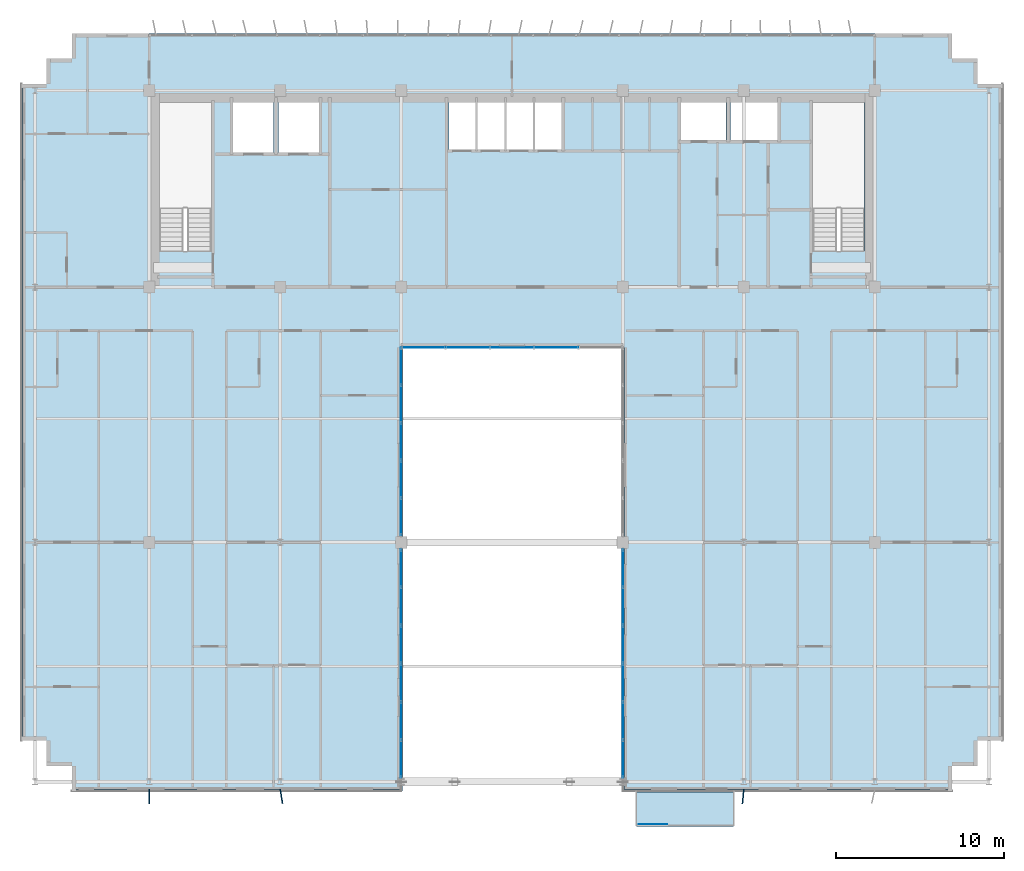
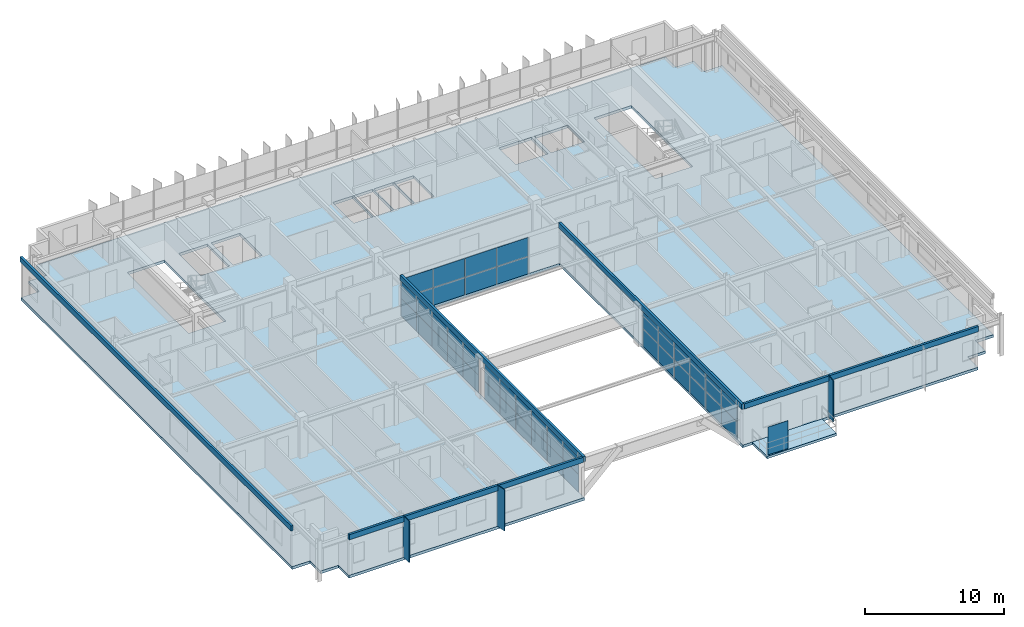
# One storey, part 28 of 37: 51 plates, 2 slabs, 4 elements without a shape of their own.
"""IFC4 building model written with IfcOpenShell, lengths in metres."""

import ifcopenshell
import ifcopenshell.guid

model = None  # the IFC model being written
_history = None  # IfcOwnerHistory: only IFC2X3 demands one
_inside = {}  # id of a spatial element -> (the spatial element, [elements in it])
_under = {}  # id of a project, library or spatial element -> (it, [spatial elements below it])
_declared = {}  # id of a project -> (the project, [libraries it declares])
_typed = {}  # id of a type object -> (the type object, [elements of that type])
_made_of = {}  # id of a material, layer set ... -> (it, [elements and type objects made of it])


def new_model(schema):
    """Start an empty IFC model of exactly this schema.

    Asked for "IFC4X3", IfcOpenShell would pick the latest addendum, in which some entities
    have other attributes; the version numbers below select the first issue.
    IFC2X3 requires an IfcOwnerHistory on every rooted entity: one is made here for all.
    """
    global model, _history
    if schema == "IFC4X3":
        model = ifcopenshell.file(schema_version=(4, 3, 0, 0))
    else:
        model = ifcopenshell.file(schema=schema)
    _inside.clear()
    _under.clear()
    _declared.clear()
    _typed.clear()
    _made_of.clear()
    _history = None
    if model.schema == "IFC2X3":
        org = make("IfcOrganization", Name="unknown")
        user = make(
            "IfcPersonAndOrganization",
            ThePerson=make("IfcPerson", FamilyName="unknown"),
            TheOrganization=org,
        )
        app = make(
            "IfcApplication",
            ApplicationDeveloper=org,
            Version="unknown",
            ApplicationFullName="unknown",
            ApplicationIdentifier="unknown",
        )
        _history = make(
            "IfcOwnerHistory",
            OwningUser=user,
            OwningApplication=app,
            ChangeAction="ADDED",
            CreationDate=0,
        )
    return model


def make(cls, **values):
    """One entity of the class cls with the attributes given. An attribute that is None is left unset."""
    return model.create_entity(
        cls, **{name: value for name, value in values.items() if value is not None}
    )


def rooted(cls, **values):
    """An entity with a GlobalId (a new one), such as an element, a storey or a relation."""
    return make(cls, GlobalId=ifcopenshell.guid.new(), OwnerHistory=_history, **values)


def si_unit(unit_type, name, prefix=None):
    """IfcSIUnit, for example si_unit("LENGTHUNIT", "METRE", prefix="MILLI")."""
    return make("IfcSIUnit", UnitType=unit_type, Prefix=prefix, Name=name)


def assignment(units):
    """IfcUnitAssignment: the units of a project."""
    return None if units is None else make("IfcUnitAssignment", Units=units)


def point(xyz):
    """IfcCartesianPoint."""
    return None if xyz is None else make("IfcCartesianPoint", Coordinates=xyz)


def direction(xyz):
    """IfcDirection."""
    return None if xyz is None else make("IfcDirection", DirectionRatios=xyz)


def frame(location, z_axis=None, x_axis=None):
    """IfcAxis2Placement3D, a coordinate frame: its origin and axes. An axis left out is left unset."""
    return make(
        "IfcAxis2Placement3D",
        Location=point(location),
        Axis=direction(z_axis),
        RefDirection=direction(x_axis),
    )


def frame_2d(location, x_axis=None):
    """IfcAxis2Placement2D, a coordinate frame in the plane: its origin and x axis."""
    return make(
        "IfcAxis2Placement2D", Location=point(location), RefDirection=direction(x_axis)
    )


def origin():
    """The frame at (0, 0, 0) with its axes left unset."""
    return frame((0.0, 0.0, 0.0))


def origin_2d():
    """The frame at (0, 0) in the plane with its x axis left unset."""
    return frame_2d((0.0, 0.0))


def place(relative_to, where):
    """IfcLocalPlacement: puts the frame where relative to a parent placement (None: the world)."""
    return make(
        "IfcLocalPlacement", PlacementRelTo=relative_to, RelativePlacement=where
    )


def context(
    kind, dimensions, precision=None, world=None, true_north=None, identifier=None
):
    """IfcGeometricRepresentationContext, for example the 3D "Model" context."""
    return make(
        "IfcGeometricRepresentationContext",
        ContextIdentifier=identifier,
        ContextType=kind,
        CoordinateSpaceDimension=dimensions,
        Precision=precision,
        WorldCoordinateSystem=world,
        TrueNorth=true_north,
    )


def subcontext(parent, identifier, kind, view, scale=None):
    """IfcGeometricRepresentationSubContext, for example "Body" below "Model"."""
    return make(
        "IfcGeometricRepresentationSubContext",
        ContextIdentifier=identifier,
        ContextType=kind,
        ParentContext=parent,
        TargetScale=scale,
        TargetView=view,
    )


def project(units=None, contexts=None):
    """IfcProject with its units and contexts."""
    return rooted(
        "IfcProject",
        Name="project",
        RepresentationContexts=contexts,
        UnitsInContext=assignment(units),
    )


def spatial(cls, under=None, at=None, **own):
    """A site, building, storey or space (cls), placed at a placement, below another one or the project."""
    s = rooted(cls, ObjectPlacement=at, **own)
    if under is not None:
        _under.setdefault(under.id(), (under, []))[1].append(s)
    return s


def polyline(points):
    """IfcPolyline through the points."""
    return make("IfcPolyline", Points=[point(p) for p in points])


def profile(cls, at=None, kind="AREA", **sizes):
    """A parametric profile (cls). Its sizes go by their IFC names, for example OverallWidth=200.0."""
    return make(cls, ProfileType=kind, Position=at, **sizes)


def rectangle(**sizes):
    """IfcRectangleProfileDef."""
    return profile("IfcRectangleProfileDef", **sizes)


def outline(outer, holes=None, kind="AREA"):
    """IfcArbitraryClosedProfileDef: a profile drawn as a closed curve; with holes, ...WithVoids."""
    if holes is None:
        return make("IfcArbitraryClosedProfileDef", ProfileType=kind, OuterCurve=outer)
    return make(
        "IfcArbitraryProfileDefWithVoids",
        ProfileType=kind,
        OuterCurve=outer,
        InnerCurves=holes,
    )


def extrude(swept, where, along, depth):
    """IfcExtrudedAreaSolid: the profile swept, set in the frame where, extruded along a direction by depth."""
    return make(
        "IfcExtrudedAreaSolid",
        SweptArea=swept,
        Position=where,
        ExtrudedDirection=direction(along),
        Depth=depth,
    )


def shape(context_of_items, identifier, shape_type, items):
    """IfcShapeRepresentation: the items that make up one representation, for example the "Body"."""
    return make(
        "IfcShapeRepresentation",
        ContextOfItems=context_of_items,
        RepresentationIdentifier=identifier,
        RepresentationType=shape_type,
        Items=items,
    )


def source(mapping_origin, context_of_items, identifier, shape_type, items):
    """IfcRepresentationMap: a shape defined once, which mapped items show again and again."""
    return make(
        "IfcRepresentationMap",
        MappingOrigin=mapping_origin,
        MappedRepresentation=shape(context_of_items, identifier, shape_type, items),
    )


def transform(
    local_origin,
    x_axis=None,
    y_axis=None,
    z_axis=None,
    scale=None,
    scale2=None,
    scale3=None,
    uniform=True,
):
    """IfcCartesianTransformationOperator3D, or its non-uniform kind. x_axis, y_axis, z_axis: its Axis1, 2, 3."""
    if uniform:
        return make(
            "IfcCartesianTransformationOperator3D",
            Axis1=direction(x_axis),
            Axis2=direction(y_axis),
            LocalOrigin=point(local_origin),
            Scale=scale,
            Axis3=direction(z_axis),
        )
    return make(
        "IfcCartesianTransformationOperator3DnonUniform",
        Axis1=direction(x_axis),
        Axis2=direction(y_axis),
        LocalOrigin=point(local_origin),
        Scale=scale,
        Axis3=direction(z_axis),
        Scale2=scale2,
        Scale3=scale3,
    )


def mapped(mapping_source, mapping_target):
    """IfcMappedItem: shows the shape of a source again, moved by a transform."""
    return make(
        "IfcMappedItem", MappingSource=mapping_source, MappingTarget=mapping_target
    )


def material(Name=None, Category=None):
    """IfcMaterial."""
    return make("IfcMaterial", Name=Name, Category=Category)


def layer(
    of_material, thickness, ventilated=None, Name=None, Category=None, Priority=None
):
    """IfcMaterialLayer: one layer of a wall or slab, of a material (None: an air gap)."""
    return make(
        "IfcMaterialLayer",
        Material=of_material,
        LayerThickness=thickness,
        IsVentilated=ventilated,
        Name=Name,
        Category=Category,
        Priority=Priority,
    )


def layer_set(layers, Name=None):
    """IfcMaterialLayerSet."""
    return make("IfcMaterialLayerSet", MaterialLayers=layers, LayerSetName=Name)


def made_of(thing, what):
    """Note that an element or type object is made of a material, layer set ...; save() writes the relation."""
    if what is not None:
        _made_of.setdefault(what.id(), (what, []))[1].append(thing)
    return thing


def type_object(cls, material=None, **own):
    """A type object (cls), such as IfcWallType, which elements share."""
    return made_of(rooted(cls, **own), material)


def element(
    cls,
    number,
    at=None,
    inside=None,
    cuts=None,
    type_object=None,
    material=None,
    context=None,
    identifier="Body",
    shape_type=None,
    held_by="IfcProductDefinitionShape",
    body=None,
    shapes=None,
    **own,
):
    """One element of the class cls, such as IfcWall. Its Tag is "e" and its number.

    at: its placement. inside: the storey or other place that contains it. cuts: it is an
    opening in that element (IfcRelVoidsElement). A single representation is given by context,
    identifier, shape_type and body (its items); several are given by shapes. held_by: the class
    of the entity that holds the representations. save() writes the other relations.
    """
    e = rooted(cls, Tag="e%d" % number, ObjectPlacement=at, **own)
    if body is not None:
        shapes = [shape(context, identifier, shape_type, body)]
    if shapes is not None:
        e.Representation = make(held_by, Representations=shapes)
    if inside is not None:
        _inside.setdefault(inside.id(), (inside, []))[1].append(e)
    if cuts is not None:
        rooted(
            "IfcRelVoidsElement", RelatingBuildingElement=cuts, RelatedOpeningElement=e
        )
    if type_object is not None:
        _typed.setdefault(type_object.id(), (type_object, []))[1].append(e)
    return made_of(e, material)


def aggregate(whole, parts):
    """IfcRelAggregates: a whole, such as a stair, and the parts it consists of."""
    return rooted("IfcRelAggregates", RelatingObject=whole, RelatedObjects=parts)


def save(model, path):
    """Write the relations noted so far, then the file.

    IfcRelAggregates (storeys below a building ...), IfcRelContainedInSpatialStructure (elements
    in a storey), IfcRelDefinesByType, IfcRelAssociatesMaterial and IfcRelDeclares: one each for
    every whole, place, type object, material and project.
    """
    for whole, parts in _under.values():
        aggregate(whole, parts)
    for where, things in _inside.values():
        rooted(
            "IfcRelContainedInSpatialStructure",
            RelatedElements=things,
            RelatingStructure=where,
        )
    for kind, things in _typed.values():
        rooted("IfcRelDefinesByType", RelatedObjects=things, RelatingType=kind)
    for what, things in _made_of.values():
        rooted("IfcRelAssociatesMaterial", RelatedObjects=things, RelatingMaterial=what)
    for by, libraries in _declared.values():
        rooted("IfcRelDeclares", RelatingContext=by, RelatedDefinitions=libraries)
    model.write(path)


model = new_model("IFC4")

# Units and contexts
model_context = context("Model", 3, precision=1e-05, world=origin(), true_north=direction((0.0, 1.0)))
body_context = subcontext(model_context, "Body", "Model", "MODEL_VIEW")
ifc_project = project(units=[si_unit("LENGTHUNIT", "METRE"), si_unit("AREAUNIT", "SQUARE_METRE"), si_unit("VOLUMEUNIT", "CUBIC_METRE"), si_unit("PLANEANGLEUNIT", "RADIAN"), si_unit("MASSUNIT", "GRAM", prefix="KILO")], contexts=[model_context])

# Site, building, storey
site_placement = place(None, origin())
site = spatial("IfcSite", under=ifc_project, at=site_placement, CompositionType="ELEMENT")
building_placement = place(site_placement, origin())
building = spatial("IfcBuilding", under=site, at=building_placement, Name="Trelvane Seafront Commons", CompositionType="ELEMENT")
storey_placement = place(building_placement, frame((0.0, 0.0, 201.300048828125)))
storey = spatial("IfcBuildingStorey", under=building, at=storey_placement, Name="L52", CompositionType="ELEMENT", Elevation=201.300048828125)

# Slabs
ifc_material_1 = material(Name="Concrete C40/50", Category="concrete")
ifc_layer_1 = layer(ifc_material_1, 0.219970703125, Name="ARCH-BALC-220")
ifc_layer_set_1 = layer_set([ifc_layer_1], Name="Concrete C40/50")
slab_type_1 = type_object("IfcSlabType", Name="ARCH-BALC-220", PredefinedType="FLOOR", material=ifc_layer_set_1)
slab_1_placement = place(storey_placement, frame((0.0, 0.0, -0.219970703125)))
element("IfcSlab", 1, at=slab_1_placement, inside=storey, type_object=slab_type_1, Name="L52 Cantilevered Tree Balcony Loggia 2", PredefinedType="FLOOR", context=body_context, shape_type="SweptSolid", body=[
    extrude(outline(polyline([(44.60009765625, 1.300048828125), (50.39990234375, 1.300048828125), (50.39990234375, 3.39990234375), (44.60009765625, 3.39990234375), (44.60009765625, 1.300048828125)])), origin(), (0.0, 0.0, 1.0), 0.219970703125),
])
ifc_material_2 = material(Name="Concrete C50/60", Category="concrete")
ifc_layer_2 = layer(ifc_material_2, 0.239990234375, Name="STR-SLB-Z4-240")
ifc_layer_set_2 = layer_set([ifc_layer_2], Name="Concrete C50/60")
slab_type_2 = type_object("IfcSlabType", Name="STR-SLB-Z4-240", PredefinedType="FLOOR", material=ifc_layer_set_2)
slab_2_placement = place(storey_placement, frame((0.0, 0.0, -0.239990234375)))
element("IfcSlab", 2, at=slab_2_placement, inside=storey, type_object=slab_type_2, Name="L52 Structural Floor Slab", PredefinedType="FLOOR", context=body_context, shape_type="SweptSolid", body=[
    extrude(outline(polyline([(11.0, 3.39990234375), (30.60009765625, 3.39990234375), (30.60009765625, 29.800048828125), (43.800048828125, 29.800048828125), (43.800048828125, 3.39990234375), (63.39990234375, 3.39990234375), (63.39990234375, 4.89990234375), (64.89990234375, 4.89990234375), (64.89990234375, 6.39990234375), (66.39990234375, 6.39990234375), (66.39990234375, 45.5), (64.89990234375, 45.5), (64.89990234375, 47.0), (63.39990234375, 47.0), (63.39990234375, 48.5), (11.0, 48.5), (11.0, 47.0), (9.5, 47.0), (9.5, 45.5), (8.0, 45.5), (8.0, 6.39990234375), (9.5, 6.39990234375), (9.5, 4.89990234375), (11.0, 4.89990234375), (11.0, 3.39990234375)]), holes=[polyline([(19.300048828125, 35.550048828125), (16.199951171875, 35.550048828125), (16.199951171875, 44.39990234375), (19.300048828125, 44.39990234375), (19.300048828125, 35.550048828125)]), polyline([(58.199951171875, 35.550048828125), (55.10009765625, 35.550048828125), (55.10009765625, 44.39990234375), (58.199951171875, 44.39990234375), (58.199951171875, 35.550048828125)]), polyline([(23.0, 41.39990234375), (20.60009765625, 41.39990234375), (20.60009765625, 44.60009765625), (23.0, 44.60009765625), (23.0, 41.39990234375)]), polyline([(23.300048828125, 41.39990234375), (23.300048828125, 44.60009765625), (25.699951171875, 44.60009765625), (25.699951171875, 41.39990234375), (23.300048828125, 41.39990234375)]), polyline([(33.449951171875, 41.60009765625), (33.449951171875, 44.60009765625), (35.070068359375, 44.60009765625), (35.070068359375, 41.60009765625), (33.449951171875, 41.60009765625)]), polyline([(36.77001953125, 41.60009765625), (35.14990234375, 41.60009765625), (35.14990234375, 44.60009765625), (36.77001953125, 44.60009765625), (36.77001953125, 41.60009765625)]), polyline([(38.469970703125, 41.60009765625), (36.85009765625, 41.60009765625), (36.85009765625, 44.60009765625), (38.469970703125, 44.60009765625), (38.469970703125, 41.60009765625)]), polyline([(40.169921875, 41.60009765625), (38.550048828125, 41.60009765625), (38.550048828125, 44.60009765625), (40.169921875, 44.60009765625), (40.169921875, 41.60009765625)]), polyline([(47.25, 42.14990234375), (47.25, 44.550048828125), (49.949951171875, 44.550048828125), (49.949951171875, 42.14990234375), (47.25, 42.14990234375)]), polyline([(50.199951171875, 42.14990234375), (50.199951171875, 44.550048828125), (53.0, 44.550048828125), (53.0, 42.14990234375), (50.199951171875, 42.14990234375)])]), origin(), (0.0, 0.0, 1.0), 0.239990234375),
])

# Plates
ifc_material_3 = material(Name="Perforated anodised aluminium screen", Category="aluminium")
ifc_layer_3 = layer(ifc_material_3, 0.01611328125, Name="ARCH-PLATE-SCREEN")
ifc_layer_set_3 = layer_set([ifc_layer_3], Name="Perforated anodised aluminium screen")
plate_type_1 = type_object("IfcPlateType", Name="ARCH-PLATE-SCREEN", PredefinedType="USERDEFINED", material=ifc_layer_set_3)
shared_shape_1 = source(origin(), body_context, "Body", "SweptSolid", [
    extrude(rectangle(XDim=1.681884765625, YDim=0.01611328125, at=origin_2d()), origin(), (0.0, 0.0, 1.0), 2.449951171875),
])
plate_1_placement = place(storey_placement, frame((45.591064453125, 1.419921875, 0.0), z_axis=(0.0, 0.0, 1.0), x_axis=(1.0, 0.0, 0.0)))
element("IfcPlate", 3, at=plate_1_placement, inside=storey, type_object=plate_type_1, Name="SCR-L52-00185", ObjectType="SCREEN", PredefinedType="USERDEFINED", context=body_context, shape_type="MappedRepresentation", body=[
    mapped(shared_shape_1, transform((0.0, 0.0, 0.0), x_axis=(1.0, 0.0, 0.0), y_axis=(0.0, 1.0, 0.0), z_axis=(0.0, 0.0, 1.0), scale=1.0)),
])
ifc_material_4 = material(Name="Anodised pale-silver aluminium", Category="aluminium")
ifc_layer_4 = layer(ifc_material_4, 0.06005859375, Name="ARCH-PLATE-FIN900")
ifc_layer_set_4 = layer_set([ifc_layer_4], Name="Anodised pale-silver aluminium")
plate_type_2 = type_object("IfcPlateType", Name="ARCH-PLATE-FIN900", PredefinedType="USERDEFINED", material=ifc_layer_set_4)
shared_shape_2 = source(origin(), body_context, "Body", "SweptSolid", [
    extrude(rectangle(XDim=0.85009765625, YDim=0.06005859375, at=origin_2d()), origin(), (0.0, 0.0, 1.0), 3.639892578125),
])
for number, where, z_axis, x_axis, name in (
    (4, (23.47021484375, 3.080810546875, -0.02001953125), (0.0, 0.0, 1.0), (0.164818656132, -0.986323887266, 0.0), "FIN-S-L52-01446"),
    (5, (50.95947265625, 3.076904296875, -0.02001953125), (0.0, 0.0, 1.0), (-0.095647699097, -0.995415248857, 0.0), "FIN-S-L52-01447"),
):
    element("IfcPlate", number, at=place(storey_placement, frame(where, z_axis=z_axis, x_axis=x_axis)), inside=storey, type_object=plate_type_2, Name=name, ObjectType="FIN", PredefinedType="USERDEFINED", context=body_context, shape_type="MappedRepresentation", body=[
        mapped(shared_shape_2, transform((0.0, 0.0, 0.0), x_axis=(1.0, 0.0, 0.0), y_axis=(0.0, 1.0, 0.0), z_axis=(0.0, 0.0, 1.0), scale=1.0)),
    ])
shared_shape_3 = source(origin(), body_context, "Body", "SweptSolid", [
    extrude(rectangle(XDim=0.849853515625, YDim=0.06005859375, at=origin_2d()), origin(), (0.0, 0.0, 1.0), 3.639892578125),
])
plate_2_placement = place(storey_placement, frame((15.6044921875, 3.0751953125, -0.02001953125), z_axis=(0.0, 0.0, 1.0), x_axis=(0.010824320636, -0.999941415325, 0.0)))
element("IfcPlate", 6, at=plate_2_placement, inside=storey, type_object=plate_type_2, Name="FIN-S-L52-01445", ObjectType="FIN", PredefinedType="USERDEFINED", context=body_context, shape_type="MappedRepresentation", body=[
    mapped(shared_shape_3, transform((0.0, 0.0, 0.0), x_axis=(1.0, 0.0, 0.0), y_axis=(0.0, 1.0, 0.0), z_axis=(0.0, 0.0, 1.0), scale=1.0)),
])
ifc_layer_5 = layer(ifc_material_4, 0.179931640625, Name="ARCH-PLATE-AERO")
ifc_layer_set_5 = layer_set([ifc_layer_5], Name="Anodised pale-silver aluminium")
plate_type_3 = type_object("IfcPlateType", Name="ARCH-PLATE-AERO", PredefinedType="SHEET", material=ifc_layer_set_5)
shared_shape_4 = source(origin(), body_context, "Body", "SweptSolid", [
    extrude(rectangle(XDim=39.10009765625, YDim=0.179931640625, at=origin_2d()), origin(), (0.0, 0.0, 1.0), 0.4599609375),
])
plate_3_placement = place(storey_placement, frame((8.0, 25.949951171875, 3.159912109375), z_axis=(0.0, 0.0, 1.0), x_axis=(0.0, 1.0, 0.0)))
element("IfcPlate", 7, at=plate_3_placement, inside=storey, type_object=plate_type_3, Name="AER-L52-00181", PredefinedType="SHEET", context=body_context, shape_type="MappedRepresentation", body=[
    mapped(shared_shape_4, transform((0.0, 0.0, 0.0), x_axis=(1.0, 0.0, 0.0), y_axis=(0.0, 1.0, 0.0), z_axis=(0.0, 0.0, 1.0), scale=1.0)),
])
shared_shape_5 = source(origin(), body_context, "Body", "SweptSolid", [
    extrude(rectangle(XDim=26.39990234375, YDim=0.179931640625, at=origin_2d()), origin(), (0.0, 0.0, 1.0), 0.4599609375),
])
for number, where, z_axis, x_axis, name in (
    (8, (43.800048828125, 16.60009765625, 3.159912109375), (0.0, 0.0, 1.0), (0.0, 1.0, 0.0), "AER-L52-00183"),
    (9, (30.60009765625, 16.60009765625, 3.159912109375), (0.0, 0.0, 1.0), (0.0, -1.0, 0.0), "AER-L52-00184"),
):
    element("IfcPlate", number, at=place(storey_placement, frame(where, z_axis=z_axis, x_axis=x_axis)), inside=storey, type_object=plate_type_3, Name=name, PredefinedType="SHEET", context=body_context, shape_type="MappedRepresentation", body=[
        mapped(shared_shape_5, transform((0.0, 0.0, 0.0), x_axis=(1.0, 0.0, 0.0), y_axis=(0.0, 1.0, 0.0), z_axis=(0.0, 0.0, 1.0), scale=1.0)),
    ])

# Curtain wall, plates
curtain_wall_type = type_object("IfcCurtainWallType", Name="ARCH-CW3-PORTAL", PredefinedType="NOTDEFINED", material=ifc_material_4)
curtain_wall_1_placement = place(storey_placement, origin())
curtain_wall_1 = element("IfcCurtainWall", 10, at=curtain_wall_1_placement, inside=storey, type_object=curtain_wall_type, Name="CW-L52-VP-0091", PredefinedType="NOTDEFINED")
ifc_material_5 = material(Name="Low-E coastal double glazing", Category="glass")
ifc_layer_6 = layer(ifc_material_5, 0.033935546875, Name="ARCH-CW-GLAZ-34")
ifc_layer_set_6 = layer_set([ifc_layer_6], Name="Low-E coastal double glazing")
plate_type_4 = type_object("IfcPlateType", Name="ARCH-CW-GLAZ-34", PredefinedType="CURTAIN_PANEL", material=ifc_layer_set_6)
shared_shape_6 = source(origin(), body_context, "Body", "SweptSolid", [
    extrude(rectangle(XDim=2.246826171875, YDim=0.0380859375, at=origin_2d()), origin(), (0.0, 0.0, 1.0), 1.528076171875),
])
plate_4_placement = place(storey_placement, frame((30.60009765625, 5.310302734375, 0.0), z_axis=(0.0, 0.0, 1.0), x_axis=(0.0, 1.0, 0.0)))
plate_4 = element("IfcPlate", 11, at=plate_4_placement, type_object=plate_type_4, Name="CW-L52-VP-0091-P00-1", PredefinedType="CURTAIN_PANEL", context=body_context, shape_type="MappedRepresentation", body=[
    mapped(shared_shape_6, transform((0.0, 0.0, 0.0), x_axis=(1.0, 0.0, 0.0), y_axis=(0.0, 1.0, 0.0), z_axis=(0.0, 0.0, 1.0), scale=1.0)),
])
plate_5_placement = place(storey_placement, frame((30.60009765625, 7.581298828125, 0.0), z_axis=(0.0, 0.0, 1.0), x_axis=(0.0, 1.0, 0.0)))
plate_5 = element("IfcPlate", 12, at=plate_5_placement, type_object=plate_type_4, Name="CW-L52-VP-0091-P01-1", PredefinedType="CURTAIN_PANEL", context=body_context, shape_type="MappedRepresentation", body=[
    mapped(shared_shape_6, transform((0.0, 0.0, 0.0), x_axis=(1.0, 0.0, 0.0), y_axis=(0.0, 1.0, 0.0), z_axis=(0.0, 0.0, 1.0), scale=1.0)),
])
plate_6_placement = place(storey_placement, frame((30.60009765625, 9.85205078125, 0.0), z_axis=(0.0, 0.0, 1.0), x_axis=(0.0, 1.0, 0.0)))
plate_6 = element("IfcPlate", 13, at=plate_6_placement, type_object=plate_type_4, Name="CW-L52-VP-0091-P02-1", PredefinedType="CURTAIN_PANEL", context=body_context, shape_type="MappedRepresentation", body=[
    mapped(shared_shape_6, transform((0.0, 0.0, 0.0), x_axis=(1.0, 0.0, 0.0), y_axis=(0.0, 1.0, 0.0), z_axis=(0.0, 0.0, 1.0), scale=1.0)),
])
plate_7_placement = place(storey_placement, frame((30.60009765625, 12.122802734375, 0.0), z_axis=(0.0, 0.0, 1.0), x_axis=(0.0, 1.0, 0.0)))
plate_7 = element("IfcPlate", 14, at=plate_7_placement, type_object=plate_type_4, Name="CW-L52-VP-0091-P03-1", PredefinedType="CURTAIN_PANEL", context=body_context, shape_type="MappedRepresentation", body=[
    mapped(shared_shape_6, transform((0.0, 0.0, 0.0), x_axis=(1.0, 0.0, 0.0), y_axis=(0.0, 1.0, 0.0), z_axis=(0.0, 0.0, 1.0), scale=1.0)),
])
plate_8_placement = place(storey_placement, frame((30.60009765625, 14.393798828125, 0.0), z_axis=(0.0, 0.0, 1.0), x_axis=(0.0, 1.0, 0.0)))
plate_8 = element("IfcPlate", 15, at=plate_8_placement, type_object=plate_type_4, Name="CW-L52-VP-0091-P04-1", PredefinedType="CURTAIN_PANEL", context=body_context, shape_type="MappedRepresentation", body=[
    mapped(shared_shape_6, transform((0.0, 0.0, 0.0), x_axis=(1.0, 0.0, 0.0), y_axis=(0.0, 1.0, 0.0), z_axis=(0.0, 0.0, 1.0), scale=1.0)),
])
plate_9_placement = place(storey_placement, frame((30.60009765625, 16.66455078125, 0.0), z_axis=(0.0, 0.0, 1.0), x_axis=(0.0, 1.0, 0.0)))
plate_9 = element("IfcPlate", 16, at=plate_9_placement, type_object=plate_type_4, Name="CW-L52-VP-0091-P05-1", PredefinedType="CURTAIN_PANEL", context=body_context, shape_type="MappedRepresentation", body=[
    mapped(shared_shape_6, transform((0.0, 0.0, 0.0), x_axis=(1.0, 0.0, 0.0), y_axis=(0.0, 1.0, 0.0), z_axis=(0.0, 0.0, 1.0), scale=1.0)),
])

curtain_wall_2_placement = place(storey_placement, origin())
curtain_wall_2 = element("IfcCurtainWall", 17, at=curtain_wall_2_placement, inside=storey, type_object=curtain_wall_type, Name="CW-L52-VP-0095", PredefinedType="NOTDEFINED")
plate_10_placement = place(storey_placement, frame((43.800048828125, 16.66455078125, 0.0), z_axis=(0.0, 0.0, 1.0), x_axis=(0.0, -1.0, 0.0)))
plate_10 = element("IfcPlate", 18, at=plate_10_placement, type_object=plate_type_4, Name="CW-L52-VP-0095-P00-1", PredefinedType="CURTAIN_PANEL", context=body_context, shape_type="MappedRepresentation", body=[
    mapped(shared_shape_6, transform((0.0, 0.0, 0.0), x_axis=(1.0, 0.0, 0.0), y_axis=(0.0, 1.0, 0.0), z_axis=(0.0, 0.0, 1.0), scale=1.0)),
])
plate_11_placement = place(storey_placement, frame((43.800048828125, 14.393798828125, 0.0), z_axis=(0.0, 0.0, 1.0), x_axis=(0.0, -1.0, 0.0)))
plate_11 = element("IfcPlate", 19, at=plate_11_placement, type_object=plate_type_4, Name="CW-L52-VP-0095-P01-1", PredefinedType="CURTAIN_PANEL", context=body_context, shape_type="MappedRepresentation", body=[
    mapped(shared_shape_6, transform((0.0, 0.0, 0.0), x_axis=(1.0, 0.0, 0.0), y_axis=(0.0, 1.0, 0.0), z_axis=(0.0, 0.0, 1.0), scale=1.0)),
])
plate_12_placement = place(storey_placement, frame((43.800048828125, 12.122802734375, 0.0), z_axis=(0.0, 0.0, 1.0), x_axis=(0.0, -1.0, 0.0)))
plate_12 = element("IfcPlate", 20, at=plate_12_placement, type_object=plate_type_4, Name="CW-L52-VP-0095-P02-1", PredefinedType="CURTAIN_PANEL", context=body_context, shape_type="MappedRepresentation", body=[
    mapped(shared_shape_6, transform((0.0, 0.0, 0.0), x_axis=(1.0, 0.0, 0.0), y_axis=(0.0, 1.0, 0.0), z_axis=(0.0, 0.0, 1.0), scale=1.0)),
])
plate_13_placement = place(storey_placement, frame((43.800048828125, 9.85205078125, 0.0), z_axis=(0.0, 0.0, 1.0), x_axis=(0.0, -1.0, 0.0)))
plate_13 = element("IfcPlate", 21, at=plate_13_placement, type_object=plate_type_4, Name="CW-L52-VP-0095-P03-1", PredefinedType="CURTAIN_PANEL", context=body_context, shape_type="MappedRepresentation", body=[
    mapped(shared_shape_6, transform((0.0, 0.0, 0.0), x_axis=(1.0, 0.0, 0.0), y_axis=(0.0, 1.0, 0.0), z_axis=(0.0, 0.0, 1.0), scale=1.0)),
])
plate_14_placement = place(storey_placement, frame((43.800048828125, 7.581298828125, 0.0), z_axis=(0.0, 0.0, 1.0), x_axis=(0.0, -1.0, 0.0)))
plate_14 = element("IfcPlate", 22, at=plate_14_placement, type_object=plate_type_4, Name="CW-L52-VP-0095-P04-1", PredefinedType="CURTAIN_PANEL", context=body_context, shape_type="MappedRepresentation", body=[
    mapped(shared_shape_6, transform((0.0, 0.0, 0.0), x_axis=(1.0, 0.0, 0.0), y_axis=(0.0, 1.0, 0.0), z_axis=(0.0, 0.0, 1.0), scale=1.0)),
])
plate_15_placement = place(storey_placement, frame((43.800048828125, 5.310302734375, 0.0), z_axis=(0.0, 0.0, 1.0), x_axis=(0.0, -1.0, 0.0)))
plate_15 = element("IfcPlate", 23, at=plate_15_placement, type_object=plate_type_4, Name="CW-L52-VP-0095-P05-1", PredefinedType="CURTAIN_PANEL", context=body_context, shape_type="MappedRepresentation", body=[
    mapped(shared_shape_6, transform((0.0, 0.0, 0.0), x_axis=(1.0, 0.0, 0.0), y_axis=(0.0, 1.0, 0.0), z_axis=(0.0, 0.0, 1.0), scale=1.0)),
])

# Plate
shared_shape_7 = source(origin(), body_context, "Body", "SweptSolid", [
    extrude(rectangle(XDim=2.246826171875, YDim=0.0380859375, at=origin_2d()), origin(), (0.0, 0.0, 1.0), 1.656005859375),
])
plate_16_placement = place(storey_placement, frame((30.60009765625, 5.310302734375, 1.56396484375), z_axis=(0.0, 0.0, 1.0), x_axis=(0.0, 1.0, 0.0)))
plate_16 = element("IfcPlate", 24, at=plate_16_placement, type_object=plate_type_4, Name="CW-L52-VP-0091-P00-2", PredefinedType="CURTAIN_PANEL", context=body_context, shape_type="MappedRepresentation", body=[
    mapped(shared_shape_7, transform((0.0, 0.0, 0.0), x_axis=(1.0, 0.0, 0.0), y_axis=(0.0, 1.0, 0.0), z_axis=(0.0, 0.0, 1.0), scale=1.0)),
])

plate_17_placement = place(storey_placement, frame((30.60009765625, 7.581298828125, 1.56396484375), z_axis=(0.0, 0.0, 1.0), x_axis=(0.0, 1.0, 0.0)))
plate_17 = element("IfcPlate", 25, at=plate_17_placement, type_object=plate_type_4, Name="CW-L52-VP-0091-P01-2", PredefinedType="CURTAIN_PANEL", context=body_context, shape_type="MappedRepresentation", body=[
    mapped(shared_shape_7, transform((0.0, 0.0, 0.0), x_axis=(1.0, 0.0, 0.0), y_axis=(0.0, 1.0, 0.0), z_axis=(0.0, 0.0, 1.0), scale=1.0)),
])

plate_18_placement = place(storey_placement, frame((30.60009765625, 9.85205078125, 1.56396484375), z_axis=(0.0, 0.0, 1.0), x_axis=(0.0, 1.0, 0.0)))
plate_18 = element("IfcPlate", 26, at=plate_18_placement, type_object=plate_type_4, Name="CW-L52-VP-0091-P02-2", PredefinedType="CURTAIN_PANEL", context=body_context, shape_type="MappedRepresentation", body=[
    mapped(shared_shape_7, transform((0.0, 0.0, 0.0), x_axis=(1.0, 0.0, 0.0), y_axis=(0.0, 1.0, 0.0), z_axis=(0.0, 0.0, 1.0), scale=1.0)),
])

plate_19_placement = place(storey_placement, frame((30.60009765625, 12.122802734375, 1.56396484375), z_axis=(0.0, 0.0, 1.0), x_axis=(0.0, 1.0, 0.0)))
plate_19 = element("IfcPlate", 27, at=plate_19_placement, type_object=plate_type_4, Name="CW-L52-VP-0091-P03-2", PredefinedType="CURTAIN_PANEL", context=body_context, shape_type="MappedRepresentation", body=[
    mapped(shared_shape_7, transform((0.0, 0.0, 0.0), x_axis=(1.0, 0.0, 0.0), y_axis=(0.0, 1.0, 0.0), z_axis=(0.0, 0.0, 1.0), scale=1.0)),
])

plate_20_placement = place(storey_placement, frame((30.60009765625, 14.393798828125, 1.56396484375), z_axis=(0.0, 0.0, 1.0), x_axis=(0.0, 1.0, 0.0)))
plate_20 = element("IfcPlate", 28, at=plate_20_placement, type_object=plate_type_4, Name="CW-L52-VP-0091-P04-2", PredefinedType="CURTAIN_PANEL", context=body_context, shape_type="MappedRepresentation", body=[
    mapped(shared_shape_7, transform((0.0, 0.0, 0.0), x_axis=(1.0, 0.0, 0.0), y_axis=(0.0, 1.0, 0.0), z_axis=(0.0, 0.0, 1.0), scale=1.0)),
])

plate_21_placement = place(storey_placement, frame((30.60009765625, 16.66455078125, 1.56396484375), z_axis=(0.0, 0.0, 1.0), x_axis=(0.0, 1.0, 0.0)))
plate_21 = element("IfcPlate", 29, at=plate_21_placement, type_object=plate_type_4, Name="CW-L52-VP-0091-P05-2", PredefinedType="CURTAIN_PANEL", context=body_context, shape_type="MappedRepresentation", body=[
    mapped(shared_shape_7, transform((0.0, 0.0, 0.0), x_axis=(1.0, 0.0, 0.0), y_axis=(0.0, 1.0, 0.0), z_axis=(0.0, 0.0, 1.0), scale=1.0)),
])

aggregate(curtain_wall_1, [plate_4, plate_16, plate_5, plate_17, plate_6, plate_18, plate_7, plate_19, plate_8, plate_20, plate_9, plate_21])

plate_22_placement = place(storey_placement, frame((43.800048828125, 16.66455078125, 1.56396484375), z_axis=(0.0, 0.0, 1.0), x_axis=(0.0, -1.0, 0.0)))
plate_22 = element("IfcPlate", 30, at=plate_22_placement, type_object=plate_type_4, Name="CW-L52-VP-0095-P00-2", PredefinedType="CURTAIN_PANEL", context=body_context, shape_type="MappedRepresentation", body=[
    mapped(shared_shape_7, transform((0.0, 0.0, 0.0), x_axis=(1.0, 0.0, 0.0), y_axis=(0.0, 1.0, 0.0), z_axis=(0.0, 0.0, 1.0), scale=1.0)),
])

plate_23_placement = place(storey_placement, frame((43.800048828125, 14.393798828125, 1.56396484375), z_axis=(0.0, 0.0, 1.0), x_axis=(0.0, -1.0, 0.0)))
plate_23 = element("IfcPlate", 31, at=plate_23_placement, type_object=plate_type_4, Name="CW-L52-VP-0095-P01-2", PredefinedType="CURTAIN_PANEL", context=body_context, shape_type="MappedRepresentation", body=[
    mapped(shared_shape_7, transform((0.0, 0.0, 0.0), x_axis=(1.0, 0.0, 0.0), y_axis=(0.0, 1.0, 0.0), z_axis=(0.0, 0.0, 1.0), scale=1.0)),
])

plate_24_placement = place(storey_placement, frame((43.800048828125, 12.122802734375, 1.56396484375), z_axis=(0.0, 0.0, 1.0), x_axis=(0.0, -1.0, 0.0)))
plate_24 = element("IfcPlate", 32, at=plate_24_placement, type_object=plate_type_4, Name="CW-L52-VP-0095-P02-2", PredefinedType="CURTAIN_PANEL", context=body_context, shape_type="MappedRepresentation", body=[
    mapped(shared_shape_7, transform((0.0, 0.0, 0.0), x_axis=(1.0, 0.0, 0.0), y_axis=(0.0, 1.0, 0.0), z_axis=(0.0, 0.0, 1.0), scale=1.0)),
])

plate_25_placement = place(storey_placement, frame((43.800048828125, 9.85205078125, 1.56396484375), z_axis=(0.0, 0.0, 1.0), x_axis=(0.0, -1.0, 0.0)))
plate_25 = element("IfcPlate", 33, at=plate_25_placement, type_object=plate_type_4, Name="CW-L52-VP-0095-P03-2", PredefinedType="CURTAIN_PANEL", context=body_context, shape_type="MappedRepresentation", body=[
    mapped(shared_shape_7, transform((0.0, 0.0, 0.0), x_axis=(1.0, 0.0, 0.0), y_axis=(0.0, 1.0, 0.0), z_axis=(0.0, 0.0, 1.0), scale=1.0)),
])

plate_26_placement = place(storey_placement, frame((43.800048828125, 7.581298828125, 1.56396484375), z_axis=(0.0, 0.0, 1.0), x_axis=(0.0, -1.0, 0.0)))
plate_26 = element("IfcPlate", 34, at=plate_26_placement, type_object=plate_type_4, Name="CW-L52-VP-0095-P04-2", PredefinedType="CURTAIN_PANEL", context=body_context, shape_type="MappedRepresentation", body=[
    mapped(shared_shape_7, transform((0.0, 0.0, 0.0), x_axis=(1.0, 0.0, 0.0), y_axis=(0.0, 1.0, 0.0), z_axis=(0.0, 0.0, 1.0), scale=1.0)),
])

plate_27_placement = place(storey_placement, frame((43.800048828125, 5.310302734375, 1.56396484375), z_axis=(0.0, 0.0, 1.0), x_axis=(0.0, -1.0, 0.0)))
plate_27 = element("IfcPlate", 35, at=plate_27_placement, type_object=plate_type_4, Name="CW-L52-VP-0095-P05-2", PredefinedType="CURTAIN_PANEL", context=body_context, shape_type="MappedRepresentation", body=[
    mapped(shared_shape_7, transform((0.0, 0.0, 0.0), x_axis=(1.0, 0.0, 0.0), y_axis=(0.0, 1.0, 0.0), z_axis=(0.0, 0.0, 1.0), scale=1.0)),
])

aggregate(curtain_wall_2, [plate_10, plate_22, plate_11, plate_23, plate_12, plate_24, plate_13, plate_25, plate_14, plate_26, plate_15, plate_27])

# Curtain wall, plates
curtain_wall_3_placement = place(storey_placement, origin())
curtain_wall_3 = element("IfcCurtainWall", 36, at=curtain_wall_3_placement, inside=storey, type_object=curtain_wall_type, Name="CW-L52-VP-0092", PredefinedType="NOTDEFINED")
shared_shape_8 = source(origin(), body_context, "Body", "SweptSolid", [
    extrude(rectangle(XDim=2.216064453125, YDim=0.0380859375, at=origin_2d()), origin(), (0.0, 0.0, 1.0), 1.528076171875),
])
plate_28_placement = place(storey_placement, frame((30.60009765625, 19.719970703125, 0.0), z_axis=(0.0, 0.0, 1.0), x_axis=(0.0, 1.0, 0.0)))
plate_28 = element("IfcPlate", 37, at=plate_28_placement, type_object=plate_type_4, Name="CW-L52-VP-0092-P00-1", PredefinedType="CURTAIN_PANEL", context=body_context, shape_type="MappedRepresentation", body=[
    mapped(shared_shape_8, transform((0.0, 0.0, 0.0), x_axis=(1.0, 0.0, 0.0), y_axis=(0.0, 1.0, 0.0), z_axis=(0.0, 0.0, 1.0), scale=1.0)),
])
plate_29_placement = place(storey_placement, frame((30.60009765625, 21.9599609375, 0.0), z_axis=(0.0, 0.0, 1.0), x_axis=(0.0, 1.0, 0.0)))
plate_29 = element("IfcPlate", 38, at=plate_29_placement, type_object=plate_type_4, Name="CW-L52-VP-0092-P01-1", PredefinedType="CURTAIN_PANEL", context=body_context, shape_type="MappedRepresentation", body=[
    mapped(shared_shape_8, transform((0.0, 0.0, 0.0), x_axis=(1.0, 0.0, 0.0), y_axis=(0.0, 1.0, 0.0), z_axis=(0.0, 0.0, 1.0), scale=1.0)),
])
plate_30_placement = place(storey_placement, frame((30.60009765625, 24.199951171875, 0.0), z_axis=(0.0, 0.0, 1.0), x_axis=(0.0, 1.0, 0.0)))
plate_30 = element("IfcPlate", 39, at=plate_30_placement, type_object=plate_type_4, Name="CW-L52-VP-0092-P02-1", PredefinedType="CURTAIN_PANEL", context=body_context, shape_type="MappedRepresentation", body=[
    mapped(shared_shape_8, transform((0.0, 0.0, 0.0), x_axis=(1.0, 0.0, 0.0), y_axis=(0.0, 1.0, 0.0), z_axis=(0.0, 0.0, 1.0), scale=1.0)),
])
plate_31_placement = place(storey_placement, frame((30.60009765625, 26.43994140625, 0.0), z_axis=(0.0, 0.0, 1.0), x_axis=(0.0, 1.0, 0.0)))
plate_31 = element("IfcPlate", 40, at=plate_31_placement, type_object=plate_type_4, Name="CW-L52-VP-0092-P03-1", PredefinedType="CURTAIN_PANEL", context=body_context, shape_type="MappedRepresentation", body=[
    mapped(shared_shape_8, transform((0.0, 0.0, 0.0), x_axis=(1.0, 0.0, 0.0), y_axis=(0.0, 1.0, 0.0), z_axis=(0.0, 0.0, 1.0), scale=1.0)),
])
plate_32_placement = place(storey_placement, frame((30.60009765625, 28.679931640625, 0.0), z_axis=(0.0, 0.0, 1.0), x_axis=(0.0, 1.0, 0.0)))
plate_32 = element("IfcPlate", 41, at=plate_32_placement, type_object=plate_type_4, Name="CW-L52-VP-0092-P04-1", PredefinedType="CURTAIN_PANEL", context=body_context, shape_type="MappedRepresentation", body=[
    mapped(shared_shape_8, transform((0.0, 0.0, 0.0), x_axis=(1.0, 0.0, 0.0), y_axis=(0.0, 1.0, 0.0), z_axis=(0.0, 0.0, 1.0), scale=1.0)),
])
shared_shape_9 = source(origin(), body_context, "Body", "SweptSolid", [
    extrude(rectangle(XDim=2.216064453125, YDim=0.0380859375, at=origin_2d()), origin(), (0.0, 0.0, 1.0), 1.656005859375),
])
plate_33_placement = place(storey_placement, frame((30.60009765625, 19.719970703125, 1.56396484375), z_axis=(0.0, 0.0, 1.0), x_axis=(0.0, 1.0, 0.0)))
plate_33 = element("IfcPlate", 42, at=plate_33_placement, type_object=plate_type_4, Name="CW-L52-VP-0092-P00-2", PredefinedType="CURTAIN_PANEL", context=body_context, shape_type="MappedRepresentation", body=[
    mapped(shared_shape_9, transform((0.0, 0.0, 0.0), x_axis=(1.0, 0.0, 0.0), y_axis=(0.0, 1.0, 0.0), z_axis=(0.0, 0.0, 1.0), scale=1.0)),
])
plate_34_placement = place(storey_placement, frame((30.60009765625, 21.9599609375, 1.56396484375), z_axis=(0.0, 0.0, 1.0), x_axis=(0.0, 1.0, 0.0)))
plate_34 = element("IfcPlate", 43, at=plate_34_placement, type_object=plate_type_4, Name="CW-L52-VP-0092-P01-2", PredefinedType="CURTAIN_PANEL", context=body_context, shape_type="MappedRepresentation", body=[
    mapped(shared_shape_9, transform((0.0, 0.0, 0.0), x_axis=(1.0, 0.0, 0.0), y_axis=(0.0, 1.0, 0.0), z_axis=(0.0, 0.0, 1.0), scale=1.0)),
])
plate_35_placement = place(storey_placement, frame((30.60009765625, 24.199951171875, 1.56396484375), z_axis=(0.0, 0.0, 1.0), x_axis=(0.0, 1.0, 0.0)))
plate_35 = element("IfcPlate", 44, at=plate_35_placement, type_object=plate_type_4, Name="CW-L52-VP-0092-P02-2", PredefinedType="CURTAIN_PANEL", context=body_context, shape_type="MappedRepresentation", body=[
    mapped(shared_shape_9, transform((0.0, 0.0, 0.0), x_axis=(1.0, 0.0, 0.0), y_axis=(0.0, 1.0, 0.0), z_axis=(0.0, 0.0, 1.0), scale=1.0)),
])
plate_36_placement = place(storey_placement, frame((30.60009765625, 26.43994140625, 1.56396484375), z_axis=(0.0, 0.0, 1.0), x_axis=(0.0, 1.0, 0.0)))
plate_36 = element("IfcPlate", 45, at=plate_36_placement, type_object=plate_type_4, Name="CW-L52-VP-0092-P03-2", PredefinedType="CURTAIN_PANEL", context=body_context, shape_type="MappedRepresentation", body=[
    mapped(shared_shape_9, transform((0.0, 0.0, 0.0), x_axis=(1.0, 0.0, 0.0), y_axis=(0.0, 1.0, 0.0), z_axis=(0.0, 0.0, 1.0), scale=1.0)),
])
plate_37_placement = place(storey_placement, frame((30.60009765625, 28.679931640625, 1.56396484375), z_axis=(0.0, 0.0, 1.0), x_axis=(0.0, 1.0, 0.0)))
plate_37 = element("IfcPlate", 46, at=plate_37_placement, type_object=plate_type_4, Name="CW-L52-VP-0092-P04-2", PredefinedType="CURTAIN_PANEL", context=body_context, shape_type="MappedRepresentation", body=[
    mapped(shared_shape_9, transform((0.0, 0.0, 0.0), x_axis=(1.0, 0.0, 0.0), y_axis=(0.0, 1.0, 0.0), z_axis=(0.0, 0.0, 1.0), scale=1.0)),
])
aggregate(curtain_wall_3, [plate_28, plate_33, plate_29, plate_34, plate_30, plate_35, plate_31, plate_36, plate_32, plate_37])

curtain_wall_4_placement = place(storey_placement, origin())
curtain_wall_4 = element("IfcCurtainWall", 47, at=curtain_wall_4_placement, inside=storey, type_object=curtain_wall_type, Name="CW-L52-VP-0093", PredefinedType="NOTDEFINED")
shared_shape_10 = source(origin(), body_context, "Body", "SweptSolid", [
    extrude(rectangle(XDim=2.615966796875, YDim=0.0380859375, at=origin_2d()), origin(), (0.0, 0.0, 1.0), 1.528076171875),
])
plate_38_placement = place(storey_placement, frame((31.919921875, 29.800048828125, 0.0), z_axis=(0.0, 0.0, 1.0), x_axis=(1.0, 0.0, 0.0)))
plate_38 = element("IfcPlate", 48, at=plate_38_placement, type_object=plate_type_4, Name="CW-L52-VP-0093-P00-1", PredefinedType="CURTAIN_PANEL", context=body_context, shape_type="MappedRepresentation", body=[
    mapped(shared_shape_10, transform((0.0, 0.0, 0.0), x_axis=(1.0, 0.0, 0.0), y_axis=(0.0, 1.0, 0.0), z_axis=(0.0, 0.0, 1.0), scale=1.0)),
])
plate_39_placement = place(storey_placement, frame((34.56005859375, 29.800048828125, 0.0), z_axis=(0.0, 0.0, 1.0), x_axis=(1.0, 0.0, 0.0)))
plate_39 = element("IfcPlate", 49, at=plate_39_placement, type_object=plate_type_4, Name="CW-L52-VP-0093-P01-1", PredefinedType="CURTAIN_PANEL", context=body_context, shape_type="MappedRepresentation", body=[
    mapped(shared_shape_10, transform((0.0, 0.0, 0.0), x_axis=(1.0, 0.0, 0.0), y_axis=(0.0, 1.0, 0.0), z_axis=(0.0, 0.0, 1.0), scale=1.0)),
])
plate_40_placement = place(storey_placement, frame((37.199951171875, 29.800048828125, 0.0), z_axis=(0.0, 0.0, 1.0), x_axis=(1.0, 0.0, 0.0)))
plate_40 = element("IfcPlate", 50, at=plate_40_placement, type_object=plate_type_4, Name="CW-L52-VP-0093-P02-1", PredefinedType="CURTAIN_PANEL", context=body_context, shape_type="MappedRepresentation", body=[
    mapped(shared_shape_10, transform((0.0, 0.0, 0.0), x_axis=(1.0, 0.0, 0.0), y_axis=(0.0, 1.0, 0.0), z_axis=(0.0, 0.0, 1.0), scale=1.0)),
])
plate_41_placement = place(storey_placement, frame((39.840087890625, 29.800048828125, 0.0), z_axis=(0.0, 0.0, 1.0), x_axis=(1.0, 0.0, 0.0)))
plate_41 = element("IfcPlate", 51, at=plate_41_placement, type_object=plate_type_4, Name="CW-L52-VP-0093-P03-1", PredefinedType="CURTAIN_PANEL", context=body_context, shape_type="MappedRepresentation", body=[
    mapped(shared_shape_10, transform((0.0, 0.0, 0.0), x_axis=(1.0, 0.0, 0.0), y_axis=(0.0, 1.0, 0.0), z_axis=(0.0, 0.0, 1.0), scale=1.0)),
])
shared_shape_11 = source(origin(), body_context, "Body", "SweptSolid", [
    extrude(rectangle(XDim=2.615966796875, YDim=0.0380859375, at=origin_2d()), origin(), (0.0, 0.0, 1.0), 1.656005859375),
])
plate_42_placement = place(storey_placement, frame((31.919921875, 29.800048828125, 1.56396484375), z_axis=(0.0, 0.0, 1.0), x_axis=(1.0, 0.0, 0.0)))
plate_42 = element("IfcPlate", 52, at=plate_42_placement, type_object=plate_type_4, Name="CW-L52-VP-0093-P00-2", PredefinedType="CURTAIN_PANEL", context=body_context, shape_type="MappedRepresentation", body=[
    mapped(shared_shape_11, transform((0.0, 0.0, 0.0), x_axis=(1.0, 0.0, 0.0), y_axis=(0.0, 1.0, 0.0), z_axis=(0.0, 0.0, 1.0), scale=1.0)),
])
plate_43_placement = place(storey_placement, frame((34.56005859375, 29.800048828125, 1.56396484375), z_axis=(0.0, 0.0, 1.0), x_axis=(1.0, 0.0, 0.0)))
plate_43 = element("IfcPlate", 53, at=plate_43_placement, type_object=plate_type_4, Name="CW-L52-VP-0093-P01-2", PredefinedType="CURTAIN_PANEL", context=body_context, shape_type="MappedRepresentation", body=[
    mapped(shared_shape_11, transform((0.0, 0.0, 0.0), x_axis=(1.0, 0.0, 0.0), y_axis=(0.0, 1.0, 0.0), z_axis=(0.0, 0.0, 1.0), scale=1.0)),
])
plate_44_placement = place(storey_placement, frame((37.199951171875, 29.800048828125, 1.56396484375), z_axis=(0.0, 0.0, 1.0), x_axis=(1.0, 0.0, 0.0)))
plate_44 = element("IfcPlate", 54, at=plate_44_placement, type_object=plate_type_4, Name="CW-L52-VP-0093-P02-2", PredefinedType="CURTAIN_PANEL", context=body_context, shape_type="MappedRepresentation", body=[
    mapped(shared_shape_11, transform((0.0, 0.0, 0.0), x_axis=(1.0, 0.0, 0.0), y_axis=(0.0, 1.0, 0.0), z_axis=(0.0, 0.0, 1.0), scale=1.0)),
])
plate_45_placement = place(storey_placement, frame((39.840087890625, 29.800048828125, 1.56396484375), z_axis=(0.0, 0.0, 1.0), x_axis=(1.0, 0.0, 0.0)))
plate_45 = element("IfcPlate", 55, at=plate_45_placement, type_object=plate_type_4, Name="CW-L52-VP-0093-P03-2", PredefinedType="CURTAIN_PANEL", context=body_context, shape_type="MappedRepresentation", body=[
    mapped(shared_shape_11, transform((0.0, 0.0, 0.0), x_axis=(1.0, 0.0, 0.0), y_axis=(0.0, 1.0, 0.0), z_axis=(0.0, 0.0, 1.0), scale=1.0)),
])
aggregate(curtain_wall_4, [plate_38, plate_42, plate_39, plate_43, plate_40, plate_44, plate_41, plate_45])

# Plates
shared_shape_12 = source(origin(), body_context, "Body", "SweptSolid", [
    extrude(rectangle(XDim=19.5, YDim=0.179931640625, at=origin_2d()), origin(), (0.0, 0.0, 1.0), 0.4599609375),
])
for number, where, z_axis, x_axis, name in (
    (56, (20.75, 3.43994140625, 3.159912109375), (0.0, 0.0, 1.0), (-1.0, 0.0, 0.0), "AER-S-L52-00186"),
    (57, (53.64990234375, 3.43994140625, 3.159912109375), (0.0, 0.0, 1.0), (-1.0, 0.0, 0.0), "AER-S-L52-00187"),
):
    element("IfcPlate", number, at=place(storey_placement, frame(where, z_axis=z_axis, x_axis=x_axis)), inside=storey, type_object=plate_type_3, Name=name, PredefinedType="SHEET", context=body_context, shape_type="MappedRepresentation", body=[
        mapped(shared_shape_12, transform((0.0, 0.0, 0.0), x_axis=(1.0, 0.0, 0.0), y_axis=(0.0, 1.0, 0.0), z_axis=(0.0, 0.0, 1.0), scale=1.0)),
    ])

save(model, "model.ifc")
